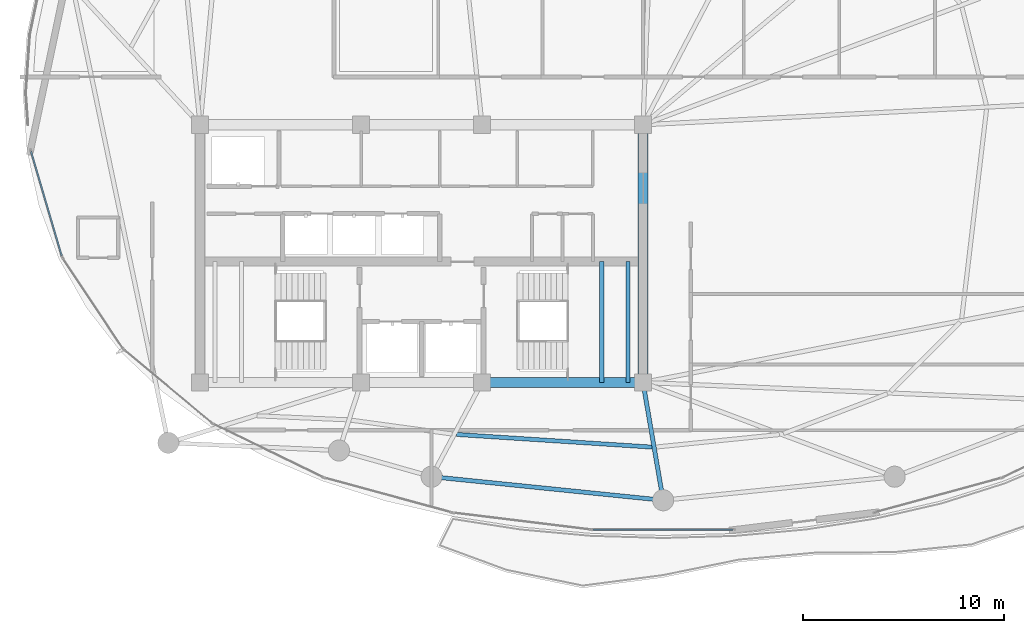
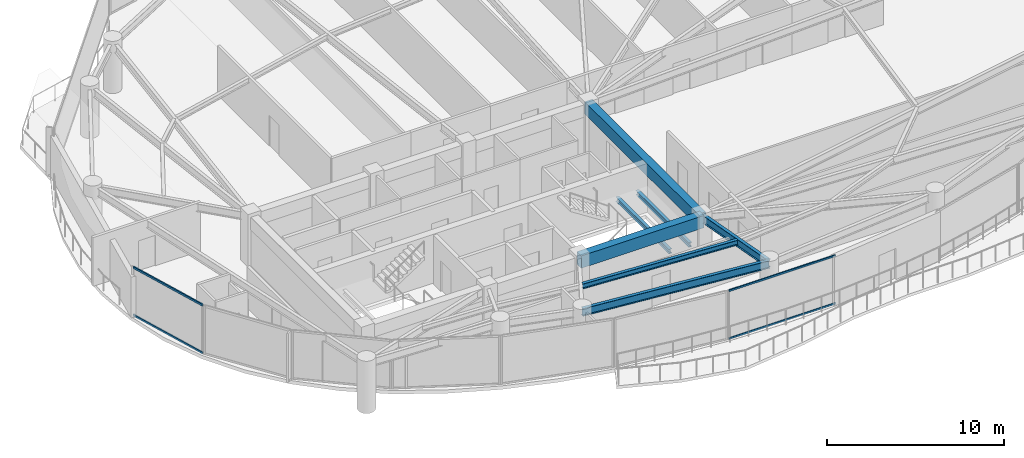
# One storey, part 6 of 28: 7 beams, 4 members, 2 elements without a shape of their own.
"""IFC4 building model written with IfcOpenShell, lengths in metres."""

from ifc_helpers import new_model, si_unit, direction, frame, origin, origin_2d, place, context, subcontext, project, spatial, rectangle, hollow_rectangle, i_section, extrude, material, layer, layer_set, material_profile, profile_set, type_object, element, aggregate, save


model = new_model("IFC4")

# Units and contexts
model_context = context("Model", 3, precision=1e-05, world=origin(), true_north=direction((0.0, 1.0)))
body_context = subcontext(model_context, "Body", "Model", "MODEL_VIEW")
ifc_project = project(units=[si_unit("LENGTHUNIT", "METRE"), si_unit("AREAUNIT", "SQUARE_METRE"), si_unit("VOLUMEUNIT", "CUBIC_METRE"), si_unit("PLANEANGLEUNIT", "RADIAN"), si_unit("MASSUNIT", "GRAM", prefix="KILO")], contexts=[model_context])

# Site, building, storey
site_placement = place(None, origin())
site = spatial("IfcSite", under=ifc_project, at=site_placement, CompositionType="ELEMENT")
building_placement = place(site_placement, origin())
building = spatial("IfcBuilding", under=site, at=building_placement, Name="Kazevale Care Tower and Concert Hall", CompositionType="ELEMENT")
storey_placement = place(building_placement, frame((0.0, 0.0, 228.0)))
storey = spatial("IfcBuildingStorey", under=building, at=storey_placement, Name="L60", CompositionType="ELEMENT", Elevation=228.0)

# Curtain wall, members
ifc_material_1 = material(Name="Aluminium 6063-T6 and Low-E Glass", Category="aluminium")
ifc_layer_1 = layer(ifc_material_1, 0.179931640625)
ifc_layer_set_1 = layer_set([ifc_layer_1], Name="Aluminium 6063-T6 and Low-E Glass")
curtain_wall_type_1 = type_object("IfcCurtainWallType", Name="Waist & Upper Residential Curtain Wall CW-4", PredefinedType="NOTDEFINED", material=ifc_layer_set_1)
curtain_wall_1_placement = place(storey_placement, origin())
curtain_wall_1 = element("IfcCurtainWall", 1, at=curtain_wall_1_placement, inside=storey, type_object=curtain_wall_type_1, Name="cw:L60:f12", PredefinedType="NOTDEFINED")
ifc_material_2 = material(Name="Aluminium 6063-T6", Category="aluminium")
ifc_material_profile_1 = material_profile(ifc_material_2, hollow_rectangle(XDim=0.080078125, YDim=0.139892578125, WallThickness=0.00390625, at=origin_2d()), Name="ALU80x140x4")
ifc_profile_set_1 = profile_set([ifc_material_profile_1], Name="Aluminium 6063-T6")
member_type_1 = type_object("IfcMemberType", Name="CW-4 Transom ALU80x140x4", PredefinedType="USERDEFINED", material=ifc_profile_set_1)
member_1_placement = place(storey_placement, frame((15.12548828125, 29.897705078125, 0.0400390625), z_axis=(-0.282102705943, 0.95938421047, 0.0), x_axis=(-0.95938421047, -0.282102705943, 0.0)))
member_1 = element("IfcMember", 2, at=member_1_placement, type_object=member_type_1, Name="CW-4 transom 1.1", ObjectType="TRANSOM", PredefinedType="USERDEFINED", context=body_context, shape_type="SweptSolid", body=[
    extrude(hollow_rectangle(XDim=0.080078125, YDim=0.139892578125, WallThickness=0.00390625, at=origin_2d()), origin(), (0.0, 0.0, 1.0), 5.402099609375),
])
member_2_placement = place(storey_placement, frame((15.12548828125, 29.897705078125, 3.320068359375), z_axis=(-0.282102705943, 0.95938421047, 0.0), x_axis=(-0.95938421047, -0.282102705943, 0.0)))
member_2 = element("IfcMember", 3, at=member_2_placement, type_object=member_type_1, Name="CW-4 transom 1.2", ObjectType="TRANSOM", PredefinedType="USERDEFINED", context=body_context, shape_type="SweptSolid", body=[
    extrude(hollow_rectangle(XDim=0.080078125, YDim=0.139892578125, WallThickness=0.00390625, at=origin_2d()), origin(), (0.0, 0.0, 1.0), 5.402099609375),
])
aggregate(curtain_wall_1, [member_1, member_2])

ifc_layer_2 = layer(ifc_material_1, 0.179931640625)
ifc_layer_set_2 = layer_set([ifc_layer_2], Name="Aluminium 6063-T6 and Low-E Glass")
curtain_wall_type_2 = type_object("IfcCurtainWallType", Name="Sheltered Concave Balcony Curtain Wall CW-5", PredefinedType="NOTDEFINED", material=ifc_layer_set_2)
curtain_wall_2_placement = place(storey_placement, origin())
curtain_wall_2 = element("IfcCurtainWall", 4, at=curtain_wall_2_placement, inside=storey, type_object=curtain_wall_type_2, Name="cw:L60:f06", PredefinedType="NOTDEFINED")
ifc_material_profile_2 = material_profile(ifc_material_2, hollow_rectangle(XDim=0.074951171875, YDim=0.1201171875, WallThickness=0.00390625, at=origin_2d()), Name="ALU75x120x4")
ifc_profile_set_2 = profile_set([ifc_material_profile_2], Name="Aluminium 6063-T6")
member_type_2 = type_object("IfcMemberType", Name="CW-5 Transom ALU75x120x4", PredefinedType="USERDEFINED", material=ifc_profile_set_2)
member_3_placement = place(storey_placement, frame((48.47509765625, 16.284912109375, 0.03759765625), z_axis=(-1.0, 0.0, 0.0), x_axis=(0.0, -1.0, 0.0)))
member_3 = element("IfcMember", 5, at=member_3_placement, type_object=member_type_2, Name="CW-5 transom 1.1", ObjectType="TRANSOM", PredefinedType="USERDEFINED", context=body_context, shape_type="SweptSolid", body=[
    extrude(hollow_rectangle(XDim=0.074951171875, YDim=0.1201171875, WallThickness=0.00390625, at=origin_2d()), origin(), (0.0, 0.0, 1.0), 6.9501953125),
])
member_4_placement = place(storey_placement, frame((48.47509765625, 16.284912109375, 3.322509765625), z_axis=(-1.0, 0.0, 0.0), x_axis=(0.0, -1.0, 0.0)))
member_4 = element("IfcMember", 6, at=member_4_placement, type_object=member_type_2, Name="CW-5 transom 1.2", ObjectType="TRANSOM", PredefinedType="USERDEFINED", context=body_context, shape_type="SweptSolid", body=[
    extrude(hollow_rectangle(XDim=0.074951171875, YDim=0.1201171875, WallThickness=0.00390625, at=origin_2d()), origin(), (0.0, 0.0, 1.0), 6.9501953125),
])
aggregate(curtain_wall_2, [member_3, member_4])

# Beams
ifc_material_3 = material(Name="Concrete C60", Category="concrete")
ifc_material_profile_3 = material_profile(ifc_material_3, rectangle(XDim=0.5, YDim=0.85009765625, at=origin_2d()), Name="RC-B500x850")
ifc_profile_set_3 = profile_set([ifc_material_profile_3], Name="Concrete C60")
beam_type_1 = type_object("IfcBeamType", Name="Core Coupling Beam RC500x850", PredefinedType="LINTEL", material=ifc_profile_set_3)
beam_1_placement = place(storey_placement, frame((36.0, 23.60009765625, 2.93505859375), z_axis=(1.0, 0.0, 0.0), x_axis=(0.0, 1.0, 0.0)))
element("IfcBeam", 7, at=beam_1_placement, inside=storey, type_object=beam_type_1, Name="beam:L60:coretie:3", PredefinedType="LINTEL", context=body_context, shape_type="SweptSolid", body=[
    extrude(rectangle(XDim=0.5, YDim=0.85009765625, at=origin_2d()), origin(), (0.0, 0.0, 1.0), 8.0),
])
beam_2_placement = place(storey_placement, frame((44.0, 23.60009765625, 2.93505859375), z_axis=(0.0, 1.0, 0.0), x_axis=(-1.0, 0.0, 0.0)))
element("IfcBeam", 8, at=beam_2_placement, inside=storey, type_object=beam_type_1, Name="beam:L60:coretie:4", PredefinedType="LINTEL", context=body_context, shape_type="SweptSolid", body=[
    extrude(rectangle(XDim=0.5, YDim=0.85009765625, at=origin_2d()), origin(), (0.0, 0.0, 1.0), 12.7998046875),
])
ifc_material_4 = material(Name="Steel ASTM A572 Gr 50", Category="steel")
ifc_material_profile_4 = material_profile(ifc_material_4, i_section(OverallWidth=0.2119140625, OverallDepth=0.5439453125, WebThickness=0.01318359375, FlangeThickness=0.021240234375, at=origin_2d()), Name="W530x123")
ifc_profile_set_4 = profile_set([ifc_material_profile_4], Name="Steel ASTM A572 Gr 50")
beam_type_2 = type_object("IfcBeamType", Name="Radial Floor Girder W530x123", PredefinedType="BEAM", material=ifc_profile_set_4)
beam_3_placement = place(storey_placement, frame((44.0, 23.60009765625, 3.087890625), z_axis=(0.168493389607, -0.985702783631, 0.0), x_axis=(0.985702783631, 0.168493389607, 0.0)))
element("IfcBeam", 9, at=beam_3_placement, inside=storey, type_object=beam_type_2, Name="beam:L60:rad:13", PredefinedType="BEAM", context=body_context, shape_type="SweptSolid", body=[
    extrude(i_section(OverallWidth=0.2119140625, OverallDepth=0.5439453125, WebThickness=0.01318359375, FlangeThickness=0.021240234375, at=origin_2d()), origin(), (0.0, 0.0, 1.0), 5.93505859375),
])
ifc_material_profile_5 = material_profile(ifc_material_4, i_section(OverallWidth=0.205078125, OverallDepth=0.35400390625, WebThickness=0.009521484375, FlangeThickness=0.016845703125, at=origin_2d()), Name="W360x79")
ifc_profile_set_5 = profile_set([ifc_material_profile_5], Name="Steel ASTM A572 Gr 50")
beam_type_3 = type_object("IfcBeamType", Name="Secondary Floor Joist W360x79", PredefinedType="JOIST", material=ifc_profile_set_5)
beam_4_placement = place(storey_placement, frame((34.72998046875, 21.01904296875, 3.18310546875), z_axis=(0.997903161374, -0.064724651559, 0.0), x_axis=(0.064724651559, 0.997903161374, 0.0)))
element("IfcBeam", 10, at=beam_4_placement, inside=storey, type_object=beam_type_3, Name="beam:L60:joist:12", PredefinedType="JOIST", context=body_context, shape_type="SweptSolid", body=[
    extrude(i_section(OverallWidth=0.205078125, OverallDepth=0.35400390625, WebThickness=0.009521484375, FlangeThickness=0.016845703125, at=origin_2d()), origin(), (0.0, 0.0, 1.0), 9.735595703125),
])
ifc_material_profile_6 = material_profile(ifc_material_4, i_section(OverallWidth=0.202880859375, OverallDepth=0.302978515625, WebThickness=0.007568359375, FlangeThickness=0.01318359375, at=origin_2d()), Name="W310x60")
ifc_profile_set_6 = profile_set([ifc_material_profile_6], Name="Steel ASTM A572 Gr 50")
beam_type_4 = type_object("IfcBeamType", Name="Stair & Balcony Trimmer W310x60", PredefinedType="BEAM", material=ifc_profile_set_6)
for number, where, z_axis, x_axis, name in (
    (11, (41.949951171875, 23.60009765625, 1.448486328125), (0.0, 1.0, 0.0), (-1.0, 0.0, 0.0), "beam:L60:sttrim:ST2"),
    (12, (43.25, 23.60009765625, 1.448486328125), (0.0, 1.0, 0.0), (-1.0, 0.0, 0.0), "beam:L60:sttrim:ST2b"),
):
    element("IfcBeam", number, at=place(storey_placement, frame(where, z_axis=z_axis, x_axis=x_axis)), inside=storey, type_object=beam_type_4, Name=name, PredefinedType="BEAM", context=body_context, shape_type="SweptSolid", body=[
        extrude(i_section(OverallWidth=0.202880859375, OverallDepth=0.302978515625, WebThickness=0.007568359375, FlangeThickness=0.01318359375, at=origin_2d()), origin(), (0.0, 0.0, 1.0), 6.0),
    ])
ifc_material_profile_7 = material_profile(ifc_material_4, i_section(OverallWidth=0.208984375, OverallDepth=0.532958984375, WebThickness=0.01025390625, FlangeThickness=0.015625, at=origin_2d()), Name="W530x92")
ifc_profile_set_7 = profile_set([ifc_material_profile_7], Name="Steel ASTM A572 Gr 50")
beam_type_5 = type_object("IfcBeamType", Name="Upper Ring Beam W530x92", PredefinedType="BEAM", material=ifc_profile_set_7)
beam_5_placement = place(storey_placement, frame((33.5, 18.919921875, 3.093505859375), z_axis=(0.994865089307, -0.101209950492, 0.0), x_axis=(0.101209950492, 0.994865089307, 0.0)))
element("IfcBeam", 13, at=beam_5_placement, inside=storey, type_object=beam_type_5, Name="beam:L60:ring:12", PredefinedType="BEAM", context=body_context, shape_type="SweptSolid", body=[
    extrude(i_section(OverallWidth=0.208984375, OverallDepth=0.532958984375, WebThickness=0.01025390625, FlangeThickness=0.015625, at=origin_2d()), origin(), (0.0, 0.0, 1.0), 11.559326171875),
])

save(model, "model.ifc")
